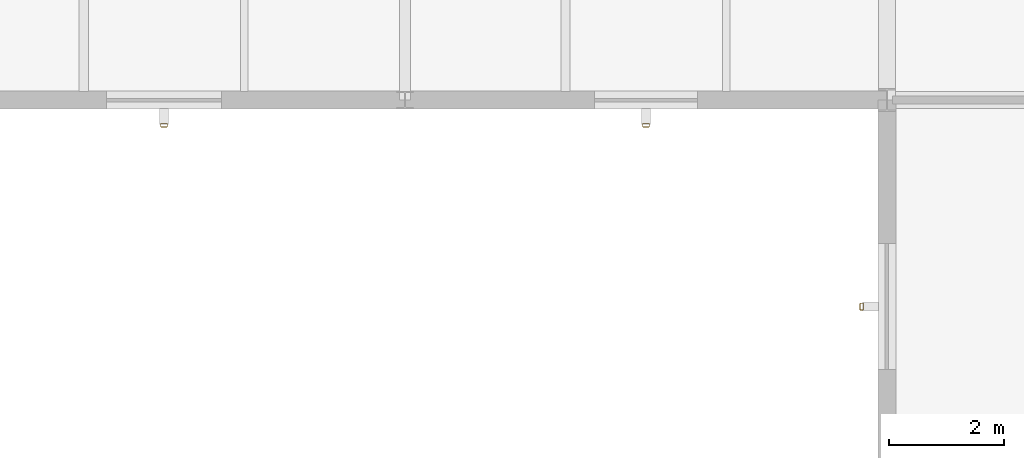
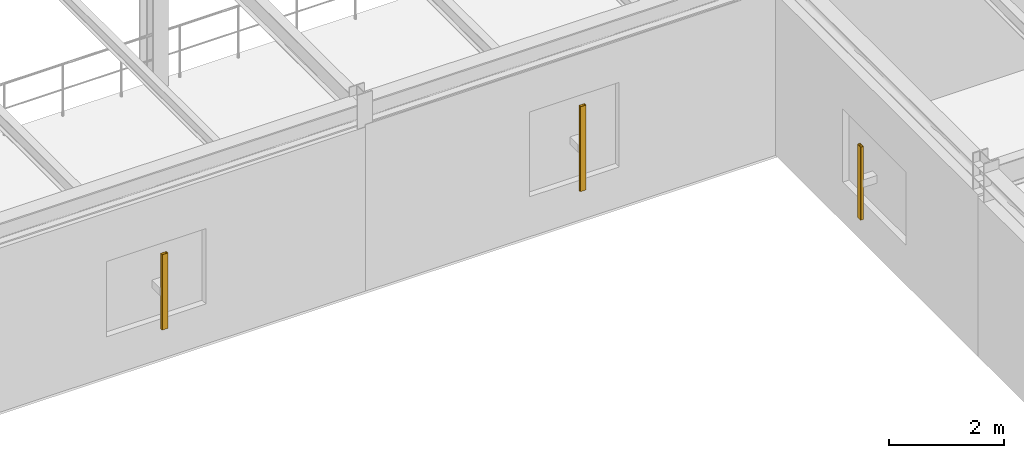
# One storey, part 103 of 109: 3 shading devices.
"""IFC4 building model written with IfcOpenShell, lengths in metres."""

from ifc_helpers import new_model, si_unit, derived_unit, direction, frame, origin, origin_2d, place, context, subcontext, project, spatial, hollow_rectangle, extrude, material, material_profile, profile_set, type_object, element, save


model = new_model("IFC4")

# Units and contexts
model_context = context("Model", 3, precision=1e-05, world=origin(), true_north=direction((0.0, 1.0)))
body_context = subcontext(model_context, "Body", "Model", "MODEL_VIEW")
ifc_project = project(units=[si_unit("LENGTHUNIT", "METRE"), si_unit("AREAUNIT", "SQUARE_METRE"), si_unit("VOLUMEUNIT", "CUBIC_METRE"), si_unit("PLANEANGLEUNIT", "RADIAN"), si_unit("MASSUNIT", "GRAM", prefix="KILO"), derived_unit("THERMALTRANSMITTANCEUNIT", [(si_unit("MASSUNIT", "GRAM", prefix="KILO"), 1), (si_unit("TIMEUNIT", "SECOND"), -3), (si_unit("THERMODYNAMICTEMPERATUREUNIT", "KELVIN"), -1)])], contexts=[model_context])

# Site, building, storey
site_placement = place(None, origin())
site = spatial("IfcSite", under=ifc_project, at=site_placement, CompositionType="ELEMENT")
building_placement = place(site_placement, origin())
building = spatial("IfcBuilding", under=site, at=building_placement, Name="Kharveza Railside Sports Centre", CompositionType="ELEMENT")
storey_placement = place(building_placement, frame((0.0, 0.0, 4.5)))
storey = spatial("IfcBuildingStorey", under=building, at=storey_placement, Name="L01", CompositionType="ELEMENT", Elevation=4.5)

# Shading devices
ifc_material = material(Name="Anodised aluminium 6063-T6", Category="aluminium")
ifc_material_profile = material_profile(ifc_material, hollow_rectangle(XDim=0.06005859375, YDim=0.1201171875, WallThickness=0.0048828125, InnerFilletRadius=0.0048828125, OuterFilletRadius=0.010009765625, at=origin_2d()), Name="RHS 60x120x5.0")
ifc_profile_set = profile_set([ifc_material_profile], Name="Anodised aluminium 6063-T6")
shading_device_type = type_object("IfcShadingDeviceType", Name="SD-LV01", PredefinedType="JALOUSIE", material=ifc_profile_set)
shading_device_1_placement = place(storey_placement, frame((130.199951171875, 71.56005859375, 0.85009765625), z_axis=(0.0, 0.0, 1.0), x_axis=(0.0, -1.0, 0.0)))
element("IfcShadingDevice", 1, at=shading_device_1_placement, inside=storey, type_object=shading_device_type, Name="SD-FIN-059", PredefinedType="JALOUSIE", context=body_context, shape_type="SweptSolid", body=[
    extrude(hollow_rectangle(XDim=0.06005859375, YDim=0.1201171875, WallThickness=0.0048828125, InnerFilletRadius=0.0048828125, OuterFilletRadius=0.010009765625, at=origin_2d()), origin(), (0.0, 0.0, 1.0), 1.599853515625),
])
shading_device_2_placement = place(storey_placement, frame((138.60009765625, 71.56005859375, 0.85009765625), z_axis=(0.0, 0.0, 1.0), x_axis=(0.0, -1.0, 0.0)))
element("IfcShadingDevice", 2, at=shading_device_2_placement, inside=storey, type_object=shading_device_type, Name="SD-FIN-060", PredefinedType="JALOUSIE", context=body_context, shape_type="SweptSolid", body=[
    extrude(hollow_rectangle(XDim=0.06005859375, YDim=0.1201171875, WallThickness=0.0048828125, InnerFilletRadius=0.0048828125, OuterFilletRadius=0.010009765625, at=origin_2d()), origin(), (0.0, 0.0, 1.0), 1.7998046875),
])
shading_device_3_placement = place(storey_placement, frame((142.360107421875, 68.39990234375, 0.85009765625), z_axis=(0.0, 0.0, 1.0), x_axis=(-1.0, 0.0, 0.0)))
element("IfcShadingDevice", 3, at=shading_device_3_placement, inside=storey, type_object=shading_device_type, Name="SD-FIN-061", PredefinedType="JALOUSIE", context=body_context, shape_type="SweptSolid", body=[
    extrude(hollow_rectangle(XDim=0.06005859375, YDim=0.1201171875, WallThickness=0.0048828125, InnerFilletRadius=0.0048828125, OuterFilletRadius=0.010009765625, at=origin_2d()), origin(), (0.0, 0.0, 1.0), 1.5498046875),
])

save(model, "model.ifc")
